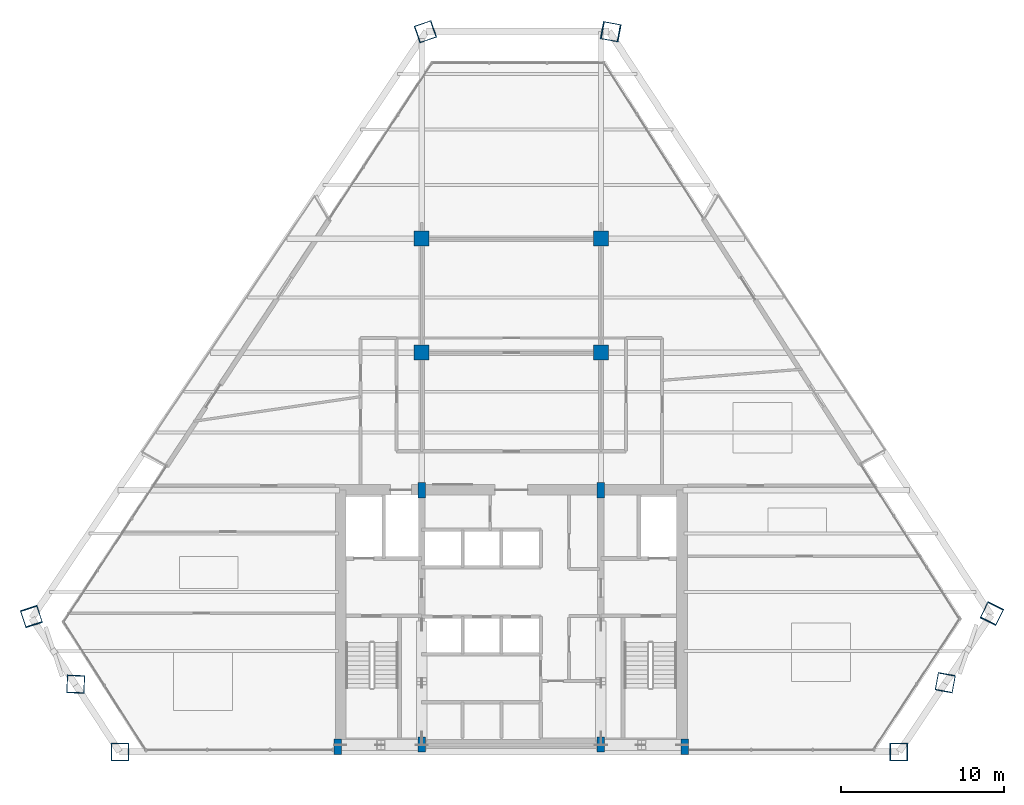
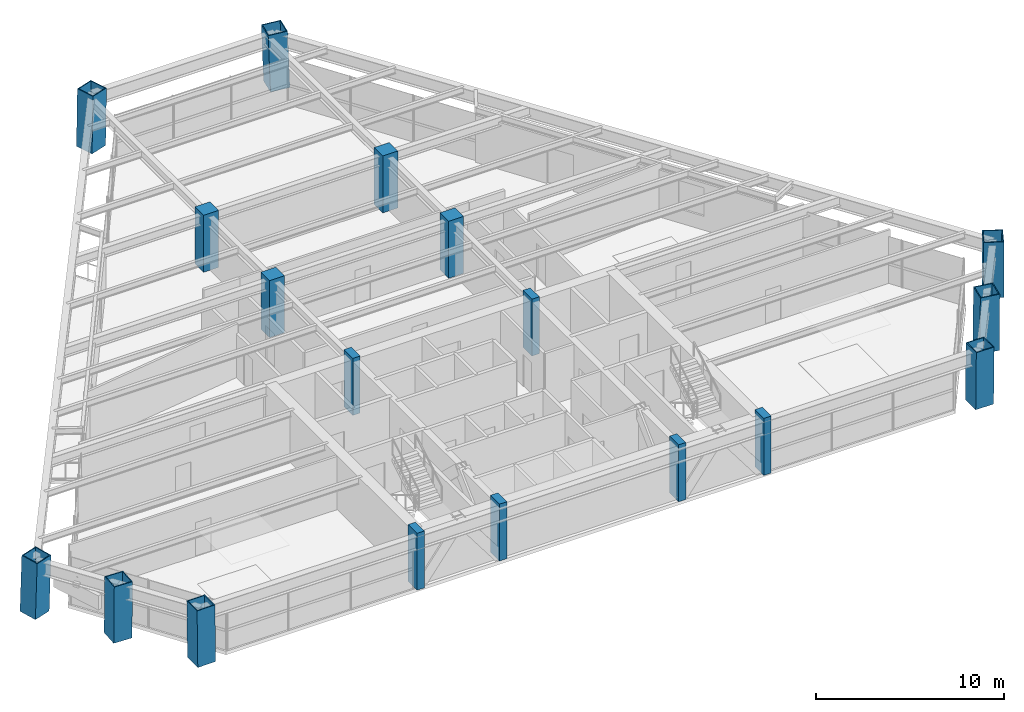
# One storey, part 1 of 14: 18 columns.
"""IFC4 building model written with IfcOpenShell, lengths in metres."""

from ifc_helpers import new_model, si_unit, direction, frame, origin, origin_2d, place, context, subcontext, project, spatial, rectangle, hollow_rectangle, extrude, source, transform, mapped, material, material_profile, profile_set, type_object, element, save


model = new_model("IFC4")

# Units and contexts
model_context = context("Model", 3, precision=1e-05, world=origin(), true_north=direction((0.0, 1.0)))
body_context = subcontext(model_context, "Body", "Model", "MODEL_VIEW")
ifc_project = project(units=[si_unit("LENGTHUNIT", "METRE"), si_unit("AREAUNIT", "SQUARE_METRE"), si_unit("VOLUMEUNIT", "CUBIC_METRE"), si_unit("PLANEANGLEUNIT", "RADIAN"), si_unit("MASSUNIT", "GRAM", prefix="KILO")], contexts=[model_context])

# Site, building, storey
site_placement = place(None, origin())
site = spatial("IfcSite", under=ifc_project, at=site_placement, CompositionType="ELEMENT")
building_placement = place(site_placement, origin())
building = spatial("IfcBuilding", under=site, at=building_placement, Name="Varnakhor Terracotta Tower", CompositionType="ELEMENT")
storey_placement = place(building_placement, frame((0.0, 0.0, 125.60009765625)))
storey = spatial("IfcBuildingStorey", under=building, at=storey_placement, Name="L31", CompositionType="ELEMENT", Elevation=125.60009765625)

# Columns
ifc_material_1 = material(Name="Concrete C50/60", Category="concrete")
ifc_material_profile_1 = material_profile(ifc_material_1, rectangle(XDim=0.449951171875, YDim=0.949951171875, at=origin_2d()), Name="RC PILASTER 950x450")
ifc_profile_set_1 = profile_set([ifc_material_profile_1], Name="Concrete C50/60")
column_type_1 = type_object("IfcColumnType", Name="COL-PIL-950x450", PredefinedType="PILASTER", material=ifc_profile_set_1)
shared_shape_1 = source(origin(), body_context, "Body", "SweptSolid", [
    extrude(rectangle(XDim=0.449951171875, YDim=0.949951171875, at=origin_2d()), origin(), (0.0, 0.0, 1.0), 3.699951171875),
])
for number, where, z_axis, x_axis, name in (
    (1, (-10.64990234375, 0.300048828125, 0.0), (0.0, 0.0, 1.0), (1.0, 0.0, 0.0), "L31 Core Pilaster CP1"),
    (2, (-5.5, 0.449951171875, 0.0), (0.0, 0.0, 1.0), (1.0, 0.0, 0.0), "L31 Core Pilaster CP2"),
    (3, (5.5, 0.449951171875, 0.0), (0.0, 0.0, 1.0), (1.0, 0.0, 0.0), "L31 Core Pilaster CP3"),
    (4, (10.64990234375, 0.300048828125, 0.0), (0.0, 0.0, 1.0), (1.0, 0.0, 0.0), "L31 Core Pilaster CP4"),
    (5, (-5.5, 16.050048828125, 0.0), (0.0, 0.0, 1.0), (1.0, 0.0, 0.0), "L31 Core Pilaster CP5"),
    (6, (5.5, 16.050048828125, 0.0), (0.0, 0.0, 1.0), (1.0, 0.0, 0.0), "L31 Core Pilaster CP6"),
):
    element("IfcColumn", number, at=place(storey_placement, frame(where, z_axis=z_axis, x_axis=x_axis)), inside=storey, type_object=column_type_1, Name=name, PredefinedType="PILASTER", context=body_context, shape_type="MappedRepresentation", body=[
        mapped(shared_shape_1, transform((0.0, 0.0, 0.0), scale=1.0)),
    ])
ifc_material_2 = material(Name="Steel S460", Category="steel")
ifc_material_profile_2 = material_profile(ifc_material_2, hollow_rectangle(XDim=1.10009765625, YDim=1.10009765625, WallThickness=0.054931640625, at=origin_2d()), Name="BOX 1100x1100x55")
ifc_profile_set_2 = profile_set([ifc_material_profile_2], Name="Steel S460")
column_type_2 = type_object("IfcColumnType", Name="COL-MEGA-1100", PredefinedType="COLUMN", material=ifc_profile_set_2)
shared_shape_2 = source(origin(), body_context, "Body", "SweptSolid", [
    extrude(hollow_rectangle(XDim=1.10009765625, YDim=1.10009765625, WallThickness=0.054931640625, at=origin_2d()), origin(), (0.0, 0.0, 1.0), 3.69140625),
])
for number, where, z_axis, x_axis, name in (
    (7, (-24.010986328125, 0.0, 0.00439453125), (-0.01190470564, 0.0, 0.999929136481), (0.0, -1.0, 0.0), "L31 Perimeter Mega-Column M1"),
    (8, (23.774169921875, 0.0, 0.00439453125), (0.009788538229, 0.0, 0.999952091112), (0.0, 1.0, 0.0), "L31 Perimeter Mega-Column M2"),
):
    element("IfcColumn", number, at=place(storey_placement, frame(where, z_axis=z_axis, x_axis=x_axis)), inside=storey, type_object=column_type_2, Name=name, PredefinedType="COLUMN", context=body_context, shape_type="MappedRepresentation", body=[
        mapped(shared_shape_2, transform((0.0, 0.0, 0.0), scale=1.0)),
    ])
shared_shape_3 = source(origin(), body_context, "Body", "SweptSolid", [
    extrude(hollow_rectangle(XDim=1.10009765625, YDim=1.10009765625, WallThickness=0.054931640625, at=origin_2d()), origin(), (0.0, 0.0, 1.0), 3.691650390625),
])
for number, where, z_axis, x_axis, name in (
    (9, (26.639404296875, 4.250732421875, 0.00439453125), (-0.002843751364, -0.015475298122, 0.999876206451), (0.983531921736, -0.180734498439, 0.0), "L31 Perimeter Mega-Column M3"),
    (10, (-26.736572265625, 4.16162109375, 0.00439453125), (-0.000661331013, -0.016334876017, 0.999866358303), (0.999181454908, -0.040452690482, 0.0), "L31 Perimeter Mega-Column M8"),
):
    element("IfcColumn", number, at=place(storey_placement, frame(where, z_axis=z_axis, x_axis=x_axis)), inside=storey, type_object=column_type_2, Name=name, PredefinedType="COLUMN", context=body_context, shape_type="MappedRepresentation", body=[
        mapped(shared_shape_3, transform((0.0, 0.0, 0.0), scale=1.0)),
    ])
shared_shape_4 = source(origin(), body_context, "Body", "SweptSolid", [
    extrude(hollow_rectangle(XDim=1.10009765625, YDim=1.10009765625, WallThickness=0.054931640625, at=origin_2d()), origin(), (0.0, 0.0, 1.0), 3.693359375),
])
for number, where, z_axis, x_axis, name in (
    (11, (29.50439453125, 8.501708984375, 0.00439453125), (-0.015467890332, -0.031067984855, 0.999397580888), (0.895187755029, -0.445689222717, 0.0), "L31 Perimeter Mega-Column M4"),
    (12, (6.125, 44.197509765625, 0.00439453125), (-0.034504838198, 0.00634571737, 0.999384384515), (-0.180874694062, -0.983506148963, 0.0), "L31 Perimeter Mega-Column M5"),
    (13, (-29.46240234375, 8.323486328125, 0.00439453125), (0.010708642098, -0.032720850854, 0.999407159722), (0.950397129045, 0.311039060415, 0.0), "L31 Perimeter Mega-Column M7"),
):
    element("IfcColumn", number, at=place(storey_placement, frame(where, z_axis=z_axis, x_axis=x_axis)), inside=storey, type_object=column_type_2, Name=name, PredefinedType="COLUMN", context=body_context, shape_type="MappedRepresentation", body=[
        mapped(shared_shape_4, transform((0.0, 0.0, 0.0), scale=1.0)),
    ])
shared_shape_5 = source(origin(), body_context, "Body", "SweptSolid", [
    extrude(hollow_rectangle(XDim=1.10009765625, YDim=1.10009765625, WallThickness=0.054931640625, at=origin_2d()), origin(), (0.0, 0.0, 1.0), 3.69189453125),
])
column_placement = place(storey_placement, frame((-5.282958984375, 44.197509765625, 0.00439453125), z_axis=(0.018450088376, 0.006348417506, 0.999809627796), x_axis=(-0.32536391446, 0.945588876398, 0.0)))
element("IfcColumn", 14, at=column_placement, inside=storey, type_object=column_type_2, Name="L31 Perimeter Mega-Column M6", PredefinedType="COLUMN", context=body_context, shape_type="MappedRepresentation", body=[
    mapped(shared_shape_5, transform((0.0, 0.0, 0.0), scale=1.0)),
])
ifc_material_profile_3 = material_profile(ifc_material_1, rectangle(XDim=0.919921875, YDim=0.919921875, at=origin_2d()), Name="RC 920x920")
ifc_profile_set_3 = profile_set([ifc_material_profile_3], Name="Concrete C50/60")
column_type_3 = type_object("IfcColumnType", Name="COL-RC-920", PredefinedType="COLUMN", material=ifc_profile_set_3)
shared_shape_6 = source(origin(), body_context, "Body", "SweptSolid", [
    extrude(rectangle(XDim=0.919921875, YDim=0.919921875, at=origin_2d()), origin(), (0.0, 0.0, 1.0), 3.699951171875),
])
for number, where, z_axis, x_axis, name in (
    (15, (-5.5, 24.5, 0.0), (0.0, 0.0, 1.0), (1.0, 0.0, 0.0), "L31 Interior Tower Column IC1"),
    (16, (5.5, 24.5, 0.0), (0.0, 0.0, 1.0), (1.0, 0.0, 0.0), "L31 Interior Tower Column IC2"),
    (17, (-5.5, 31.5, 0.0), (0.0, 0.0, 1.0), (1.0, 0.0, 0.0), "L31 Interior Tower Column IC3"),
    (18, (5.5, 31.5, 0.0), (0.0, 0.0, 1.0), (1.0, 0.0, 0.0), "L31 Interior Tower Column IC4"),
):
    element("IfcColumn", number, at=place(storey_placement, frame(where, z_axis=z_axis, x_axis=x_axis)), inside=storey, type_object=column_type_3, Name=name, PredefinedType="COLUMN", context=body_context, shape_type="MappedRepresentation", body=[
        mapped(shared_shape_6, transform((0.0, 0.0, 0.0), scale=1.0)),
    ])

save(model, "model.ifc")
